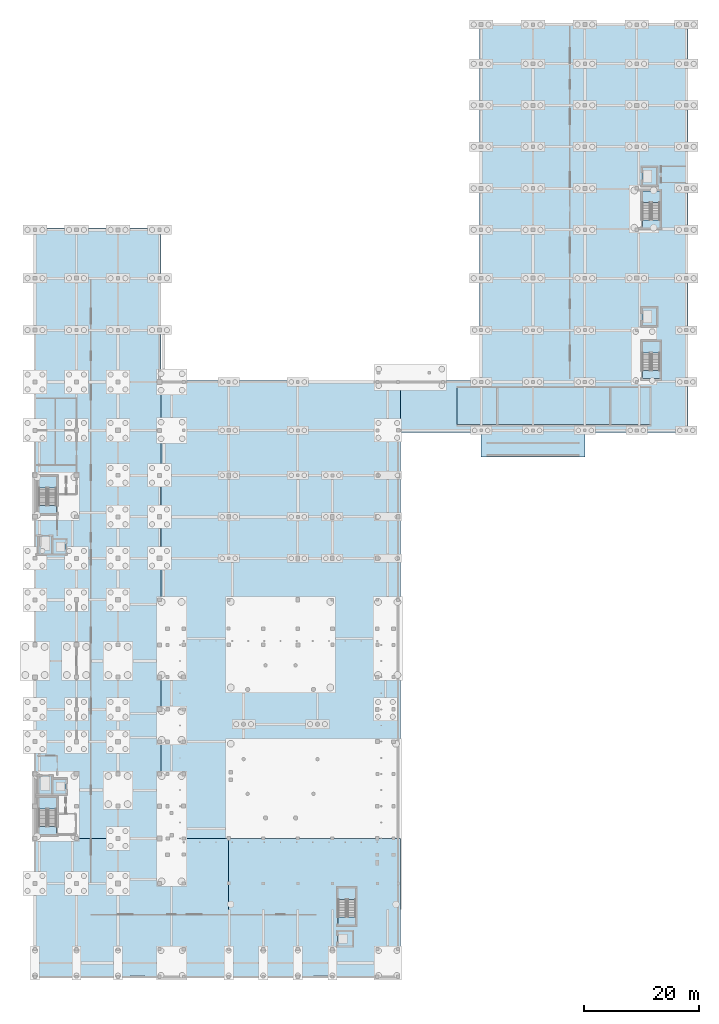
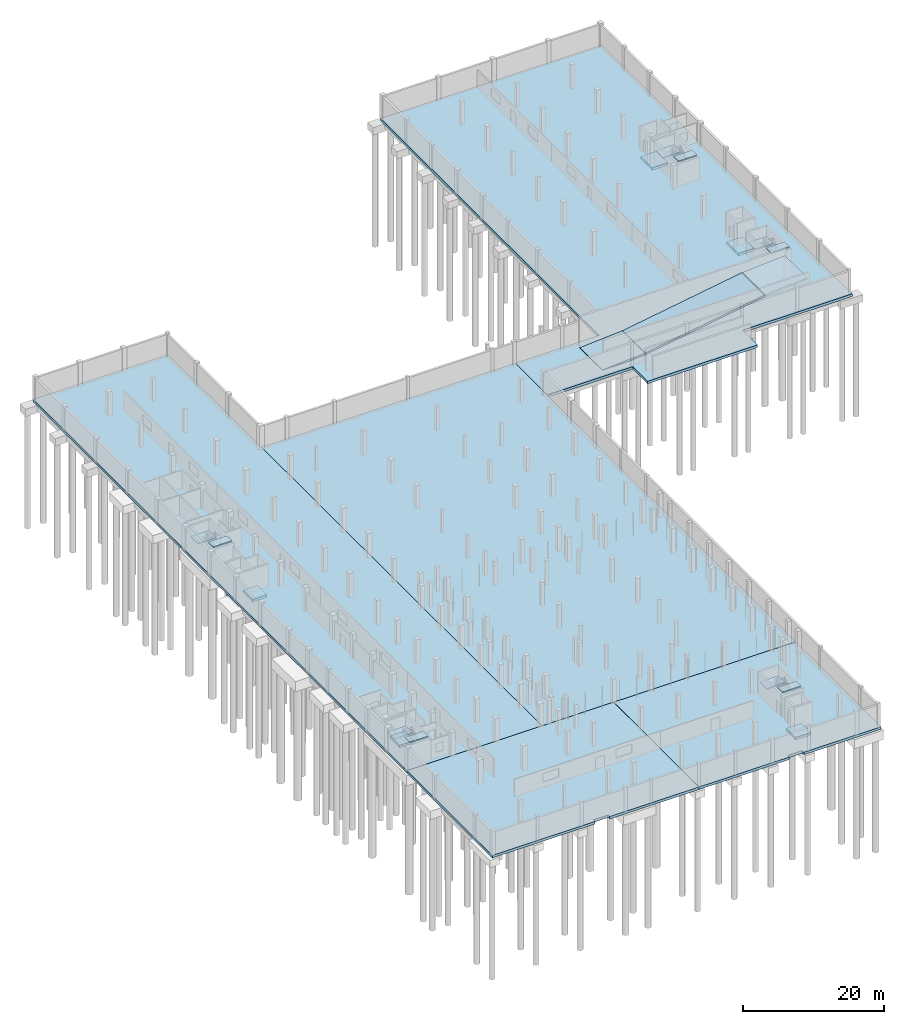
# One storey, part 22 of 34: 25 slabs, 5 elements without a shape of their own.
"""IFC4 building model written with IfcOpenShell, lengths in metres."""

import ifcopenshell
import ifcopenshell.guid

model = None  # the IFC model being written
_history = None  # IfcOwnerHistory: only IFC2X3 demands one
_inside = {}  # id of a spatial element -> (the spatial element, [elements in it])
_under = {}  # id of a project, library or spatial element -> (it, [spatial elements below it])
_declared = {}  # id of a project -> (the project, [libraries it declares])
_typed = {}  # id of a type object -> (the type object, [elements of that type])
_made_of = {}  # id of a material, layer set ... -> (it, [elements and type objects made of it])


def new_model(schema):
    """Start an empty IFC model of exactly this schema.

    Asked for "IFC4X3", IfcOpenShell would pick the latest addendum, in which some entities
    have other attributes; the version numbers below select the first issue.
    IFC2X3 requires an IfcOwnerHistory on every rooted entity: one is made here for all.
    """
    global model, _history
    if schema == "IFC4X3":
        model = ifcopenshell.file(schema_version=(4, 3, 0, 0))
    else:
        model = ifcopenshell.file(schema=schema)
    _inside.clear()
    _under.clear()
    _declared.clear()
    _typed.clear()
    _made_of.clear()
    _history = None
    if model.schema == "IFC2X3":
        org = make("IfcOrganization", Name="unknown")
        user = make(
            "IfcPersonAndOrganization",
            ThePerson=make("IfcPerson", FamilyName="unknown"),
            TheOrganization=org,
        )
        app = make(
            "IfcApplication",
            ApplicationDeveloper=org,
            Version="unknown",
            ApplicationFullName="unknown",
            ApplicationIdentifier="unknown",
        )
        _history = make(
            "IfcOwnerHistory",
            OwningUser=user,
            OwningApplication=app,
            ChangeAction="ADDED",
            CreationDate=0,
        )
    return model


def make(cls, **values):
    """One entity of the class cls with the attributes given. An attribute that is None is left unset."""
    return model.create_entity(
        cls, **{name: value for name, value in values.items() if value is not None}
    )


def rooted(cls, **values):
    """An entity with a GlobalId (a new one), such as an element, a storey or a relation."""
    return make(cls, GlobalId=ifcopenshell.guid.new(), OwnerHistory=_history, **values)


def si_unit(unit_type, name, prefix=None):
    """IfcSIUnit, for example si_unit("LENGTHUNIT", "METRE", prefix="MILLI")."""
    return make("IfcSIUnit", UnitType=unit_type, Prefix=prefix, Name=name)


def assignment(units):
    """IfcUnitAssignment: the units of a project."""
    return None if units is None else make("IfcUnitAssignment", Units=units)


def point(xyz):
    """IfcCartesianPoint."""
    return None if xyz is None else make("IfcCartesianPoint", Coordinates=xyz)


def direction(xyz):
    """IfcDirection."""
    return None if xyz is None else make("IfcDirection", DirectionRatios=xyz)


def frame(location, z_axis=None, x_axis=None):
    """IfcAxis2Placement3D, a coordinate frame: its origin and axes. An axis left out is left unset."""
    return make(
        "IfcAxis2Placement3D",
        Location=point(location),
        Axis=direction(z_axis),
        RefDirection=direction(x_axis),
    )


def origin():
    """The frame at (0, 0, 0) with its axes left unset."""
    return frame((0.0, 0.0, 0.0))


def place(relative_to, where):
    """IfcLocalPlacement: puts the frame where relative to a parent placement (None: the world)."""
    return make(
        "IfcLocalPlacement", PlacementRelTo=relative_to, RelativePlacement=where
    )


def context(
    kind, dimensions, precision=None, world=None, true_north=None, identifier=None
):
    """IfcGeometricRepresentationContext, for example the 3D "Model" context."""
    return make(
        "IfcGeometricRepresentationContext",
        ContextIdentifier=identifier,
        ContextType=kind,
        CoordinateSpaceDimension=dimensions,
        Precision=precision,
        WorldCoordinateSystem=world,
        TrueNorth=true_north,
    )


def subcontext(parent, identifier, kind, view, scale=None):
    """IfcGeometricRepresentationSubContext, for example "Body" below "Model"."""
    return make(
        "IfcGeometricRepresentationSubContext",
        ContextIdentifier=identifier,
        ContextType=kind,
        ParentContext=parent,
        TargetScale=scale,
        TargetView=view,
    )


def project(units=None, contexts=None):
    """IfcProject with its units and contexts."""
    return rooted(
        "IfcProject",
        Name="project",
        RepresentationContexts=contexts,
        UnitsInContext=assignment(units),
    )


def spatial(cls, under=None, at=None, **own):
    """A site, building, storey or space (cls), placed at a placement, below another one or the project."""
    s = rooted(cls, ObjectPlacement=at, **own)
    if under is not None:
        _under.setdefault(under.id(), (under, []))[1].append(s)
    return s


def polyline(points):
    """IfcPolyline through the points."""
    return make("IfcPolyline", Points=[point(p) for p in points])


def outline(outer, holes=None, kind="AREA"):
    """IfcArbitraryClosedProfileDef: a profile drawn as a closed curve; with holes, ...WithVoids."""
    if holes is None:
        return make("IfcArbitraryClosedProfileDef", ProfileType=kind, OuterCurve=outer)
    return make(
        "IfcArbitraryProfileDefWithVoids",
        ProfileType=kind,
        OuterCurve=outer,
        InnerCurves=holes,
    )


def extrude(swept, where, along, depth):
    """IfcExtrudedAreaSolid: the profile swept, set in the frame where, extruded along a direction by depth."""
    return make(
        "IfcExtrudedAreaSolid",
        SweptArea=swept,
        Position=where,
        ExtrudedDirection=direction(along),
        Depth=depth,
    )


def shape(context_of_items, identifier, shape_type, items):
    """IfcShapeRepresentation: the items that make up one representation, for example the "Body"."""
    return make(
        "IfcShapeRepresentation",
        ContextOfItems=context_of_items,
        RepresentationIdentifier=identifier,
        RepresentationType=shape_type,
        Items=items,
    )


def material(Name=None, Category=None):
    """IfcMaterial."""
    return make("IfcMaterial", Name=Name, Category=Category)


def layer(
    of_material, thickness, ventilated=None, Name=None, Category=None, Priority=None
):
    """IfcMaterialLayer: one layer of a wall or slab, of a material (None: an air gap)."""
    return make(
        "IfcMaterialLayer",
        Material=of_material,
        LayerThickness=thickness,
        IsVentilated=ventilated,
        Name=Name,
        Category=Category,
        Priority=Priority,
    )


def layer_set(layers, Name=None):
    """IfcMaterialLayerSet."""
    return make("IfcMaterialLayerSet", MaterialLayers=layers, LayerSetName=Name)


def made_of(thing, what):
    """Note that an element or type object is made of a material, layer set ...; save() writes the relation."""
    if what is not None:
        _made_of.setdefault(what.id(), (what, []))[1].append(thing)
    return thing


def type_object(cls, material=None, **own):
    """A type object (cls), such as IfcWallType, which elements share."""
    return made_of(rooted(cls, **own), material)


def element(
    cls,
    number,
    at=None,
    inside=None,
    cuts=None,
    type_object=None,
    material=None,
    context=None,
    identifier="Body",
    shape_type=None,
    held_by="IfcProductDefinitionShape",
    body=None,
    shapes=None,
    **own,
):
    """One element of the class cls, such as IfcWall. Its Tag is "e" and its number.

    at: its placement. inside: the storey or other place that contains it. cuts: it is an
    opening in that element (IfcRelVoidsElement). A single representation is given by context,
    identifier, shape_type and body (its items); several are given by shapes. held_by: the class
    of the entity that holds the representations. save() writes the other relations.
    """
    e = rooted(cls, Tag="e%d" % number, ObjectPlacement=at, **own)
    if body is not None:
        shapes = [shape(context, identifier, shape_type, body)]
    if shapes is not None:
        e.Representation = make(held_by, Representations=shapes)
    if inside is not None:
        _inside.setdefault(inside.id(), (inside, []))[1].append(e)
    if cuts is not None:
        rooted(
            "IfcRelVoidsElement", RelatingBuildingElement=cuts, RelatedOpeningElement=e
        )
    if type_object is not None:
        _typed.setdefault(type_object.id(), (type_object, []))[1].append(e)
    return made_of(e, material)


def aggregate(whole, parts):
    """IfcRelAggregates: a whole, such as a stair, and the parts it consists of."""
    return rooted("IfcRelAggregates", RelatingObject=whole, RelatedObjects=parts)


def save(model, path):
    """Write the relations noted so far, then the file.

    IfcRelAggregates (storeys below a building ...), IfcRelContainedInSpatialStructure (elements
    in a storey), IfcRelDefinesByType, IfcRelAssociatesMaterial and IfcRelDeclares: one each for
    every whole, place, type object, material and project.
    """
    for whole, parts in _under.values():
        aggregate(whole, parts)
    for where, things in _inside.values():
        rooted(
            "IfcRelContainedInSpatialStructure",
            RelatedElements=things,
            RelatingStructure=where,
        )
    for kind, things in _typed.values():
        rooted("IfcRelDefinesByType", RelatedObjects=things, RelatingType=kind)
    for what, things in _made_of.values():
        rooted("IfcRelAssociatesMaterial", RelatedObjects=things, RelatingMaterial=what)
    for by, libraries in _declared.values():
        rooted("IfcRelDeclares", RelatingContext=by, RelatedDefinitions=libraries)
    model.write(path)


model = new_model("IFC4")

# Units and contexts
model_context = context("Model", 3, precision=1e-05, world=origin(), true_north=direction((0.0, 1.0)))
body_context = subcontext(model_context, "Body", "Model", "MODEL_VIEW")
ifc_project = project(units=[si_unit("LENGTHUNIT", "METRE"), si_unit("AREAUNIT", "SQUARE_METRE"), si_unit("VOLUMEUNIT", "CUBIC_METRE"), si_unit("PLANEANGLEUNIT", "RADIAN"), si_unit("MASSUNIT", "GRAM", prefix="KILO")], contexts=[model_context])

# Site, building, storey
site_placement = place(None, origin())
site = spatial("IfcSite", under=ifc_project, at=site_placement, CompositionType="ELEMENT")
building_placement = place(site_placement, origin())
building = spatial("IfcBuilding", under=site, at=building_placement, Name="Vinh Khe Railworks Police Headquarters", CompositionType="ELEMENT")
storey_placement = place(building_placement, frame((0.0, 0.0, -4.199951171875)))
storey = spatial("IfcBuildingStorey", under=building, at=storey_placement, Name="B1", CompositionType="ELEMENT", Elevation=-4.199951171875)

# Slabs
ifc_material_1 = material(Name="Concrete C35/45 (B35)", Category="concrete")
ifc_layer_1 = layer(ifc_material_1, 0.449951171875)
ifc_layer_set_1 = layer_set([ifc_layer_1], Name="Concrete C35/45 (B35)")
slab_type_1 = type_object("IfcSlabType", Name="Base Raft Slab 450", PredefinedType="BASESLAB", material=ifc_layer_set_1)
slab_1_placement = place(storey_placement, frame((0.0, 0.0, -0.449951171875)))
element("IfcSlab", 1, at=slab_1_placement, inside=storey, type_object=slab_type_1, Name="B1-SW Base Slab (B1)", PredefinedType="BASESLAB", context=body_context, shape_type="SweptSolid", body=[
    extrude(outline(polyline([(0.39990234375, 1.0), (17.199951171875, 1.0), (17.199951171875, 1.449951171875), (19.60009765625, 1.449951171875), (19.60009765625, 1.0), (34.199951171875, 1.0), (34.199951171875, 25.199951171875), (0.39990234375, 25.199951171875), (0.39990234375, 1.0)])), origin(), (0.0, 0.0, 1.0), 0.449951171875),
])
slab_2_placement = place(storey_placement, frame((0.0, 0.0, -0.449951171875)))
element("IfcSlab", 2, at=slab_2_placement, inside=storey, type_object=slab_type_1, Name="B1-SE Base Slab (B1)", PredefinedType="BASESLAB", context=body_context, shape_type="SweptSolid", body=[
    extrude(outline(polyline([(34.2099609375, 1.0), (49.0048828125, 1.0), (49.0048828125, 1.449951171875), (51.405029296875, 1.449951171875), (51.405029296875, 1.0), (64.0, 1.0), (64.0, 25.199951171875), (34.2099609375, 25.199951171875), (34.2099609375, 1.0)])), origin(), (0.0, 0.0, 1.0), 0.449951171875),
])
slab_3_placement = place(storey_placement, frame((0.0, 0.0, -0.449951171875)))
element("IfcSlab", 3, at=slab_3_placement, inside=storey, type_object=slab_type_1, Name="B1-W Base Slab (B1)", PredefinedType="BASESLAB", context=body_context, shape_type="SweptSolid", body=[
    extrude(outline(polyline([(0.39990234375, 25.199951171875), (22.5, 25.199951171875), (22.5, 131.10009765625), (0.39990234375, 131.10009765625), (0.39990234375, 25.199951171875)])), origin(), (0.0, 0.0, 1.0), 0.449951171875),
])
slab_4_placement = place(storey_placement, frame((0.0, 0.0, -0.449951171875)))
element("IfcSlab", 4, at=slab_4_placement, inside=storey, type_object=slab_type_1, Name="B1-C Base Slab (B1)", PredefinedType="BASESLAB", context=body_context, shape_type="SweptSolid", body=[
    extrude(outline(polyline([(22.5, 25.199951171875), (64.0, 25.199951171875), (64.0, 104.699951171875), (22.5, 104.699951171875), (22.5, 25.199951171875)])), origin(), (0.0, 0.0, 1.0), 0.449951171875),
])
slab_5_placement = place(storey_placement, frame((0.0, 0.0, -0.449951171875)))
element("IfcSlab", 5, at=slab_5_placement, inside=storey, type_object=slab_type_1, Name="B1-E Base Slab (B1)", PredefinedType="BASESLAB", context=body_context, shape_type="SweptSolid", body=[
    extrude(outline(polyline([(64.0, 95.60009765625), (78.0, 95.60009765625), (78.0, 91.39990234375), (96.0, 91.39990234375), (96.0, 95.60009765625), (113.89990234375, 95.60009765625), (113.89990234375, 166.60009765625), (77.699951171875, 166.60009765625), (77.699951171875, 104.699951171875), (64.0, 104.699951171875), (64.0, 95.60009765625)]), holes=[polyline([(73.800048828125, 97.010009765625), (78.10009765625, 97.010009765625), (78.10009765625, 103.389892578125), (73.800048828125, 103.389892578125), (73.800048828125, 97.010009765625)])]), origin(), (0.0, 0.0, 1.0), 0.449951171875),
])

# Stair, slabs
ifc_material_2 = material(Name="Precast concrete C40/50 (B40)", Category="concrete")
stair_type = type_object("IfcStairType", Name="ST-CORE-DOGLEG", PredefinedType="HALF_TURN_STAIR", material=ifc_material_2)
stair_1_placement = place(storey_placement, origin())
stair_1 = element("IfcStair", 6, at=stair_1_placement, inside=storey, type_object=stair_type, Name="B1 Escape Stair ST-01", PredefinedType="HALF_TURN_STAIR")
ifc_layer_2 = layer(ifc_material_1, 0.199951171875)
ifc_layer_set_2 = layer_set([ifc_layer_2], Name="Concrete C35/45 (B35)")
slab_type_2 = type_object("IfcSlabType", Name="SLB-LAND-200", PredefinedType="LANDING", material=ifc_layer_set_2)
slab_6_placement = place(storey_placement, frame((0.0, 0.0, 1.89990234375)))
slab_6 = element("IfcSlab", 7, at=slab_6_placement, type_object=slab_type_2, Name="ST-01 landing 1", PredefinedType="LANDING", context=body_context, shape_type="SweptSolid", body=[
    extrude(outline(polyline([(4.300048828125, 30.330078125), (4.300048828125, 32.300048828125), (1.300048828125, 32.300048828125), (1.300048828125, 30.330078125), (4.300048828125, 30.330078125)])), origin(), (0.0, 0.0, 1.0), 0.199951171875),
])
slab_7_placement = place(storey_placement, frame((0.0, 0.0, 4.0)))
slab_7 = element("IfcSlab", 8, at=slab_7_placement, type_object=slab_type_2, Name="ST-01 landing 2", PredefinedType="LANDING", context=body_context, shape_type="SweptSolid", body=[
    extrude(outline(polyline([(1.280029296875, 25.8798828125), (4.320068359375, 25.8798828125), (4.320068359375, 27.260009765625), (1.280029296875, 27.260009765625), (1.280029296875, 25.8798828125)])), origin(), (0.0, 0.0, 1.0), 0.199951171875),
])
aggregate(stair_1, [slab_6, slab_7])

stair_2_placement = place(storey_placement, origin())
stair_2 = element("IfcStair", 9, at=stair_2_placement, inside=storey, type_object=stair_type, Name="B1 Escape Stair ST-02", PredefinedType="HALF_TURN_STAIR")
slab_8_placement = place(storey_placement, frame((0.0, 0.0, 1.89990234375)))
slab_8 = element("IfcSlab", 10, at=slab_8_placement, type_object=slab_type_2, Name="ST-02 landing 1", PredefinedType="LANDING", context=body_context, shape_type="SweptSolid", body=[
    extrude(outline(polyline([(4.300048828125, 86.030029296875), (4.300048828125, 88.0), (1.300048828125, 88.0), (1.300048828125, 86.030029296875), (4.300048828125, 86.030029296875)])), origin(), (0.0, 0.0, 1.0), 0.199951171875),
])
slab_9_placement = place(storey_placement, frame((0.0, 0.0, 4.0)))
slab_9 = element("IfcSlab", 11, at=slab_9_placement, type_object=slab_type_2, Name="ST-02 landing 2", PredefinedType="LANDING", context=body_context, shape_type="SweptSolid", body=[
    extrude(outline(polyline([(1.280029296875, 81.580078125), (4.320068359375, 81.580078125), (4.320068359375, 82.9599609375), (1.280029296875, 82.9599609375), (1.280029296875, 81.580078125)])), origin(), (0.0, 0.0, 1.0), 0.199951171875),
])
aggregate(stair_2, [slab_8, slab_9])

stair_3_placement = place(storey_placement, origin())
stair_3 = element("IfcStair", 12, at=stair_3_placement, inside=storey, type_object=stair_type, Name="B1 Escape Stair ST-03", PredefinedType="HALF_TURN_STAIR")
slab_10_placement = place(storey_placement, frame((0.0, 0.0, 1.89990234375)))
slab_10 = element("IfcSlab", 13, at=slab_10_placement, type_object=slab_type_2, Name="ST-03 landing 1", PredefinedType="LANDING", context=body_context, shape_type="SweptSolid", body=[
    extrude(outline(polyline([(109.0, 135.580078125), (109.0, 137.550048828125), (106.0, 137.550048828125), (106.0, 135.580078125), (109.0, 135.580078125)])), origin(), (0.0, 0.0, 1.0), 0.199951171875),
])
slab_11_placement = place(storey_placement, frame((0.0, 0.0, 4.0)))
slab_11 = element("IfcSlab", 14, at=slab_11_placement, type_object=slab_type_2, Name="ST-03 landing 2", PredefinedType="LANDING", context=body_context, shape_type="SweptSolid", body=[
    extrude(outline(polyline([(105.97998046875, 131.1298828125), (109.02001953125, 131.1298828125), (109.02001953125, 132.510009765625), (105.97998046875, 132.510009765625), (105.97998046875, 131.1298828125)])), origin(), (0.0, 0.0, 1.0), 0.199951171875),
])
aggregate(stair_3, [slab_10, slab_11])

stair_4_placement = place(storey_placement, origin())
stair_4 = element("IfcStair", 15, at=stair_4_placement, inside=storey, type_object=stair_type, Name="B1 Escape Stair ST-04", PredefinedType="HALF_TURN_STAIR")
slab_12_placement = place(storey_placement, frame((0.0, 0.0, 1.89990234375)))
slab_12 = element("IfcSlab", 16, at=slab_12_placement, type_object=slab_type_2, Name="ST-04 landing 1", PredefinedType="LANDING", context=body_context, shape_type="SweptSolid", body=[
    extrude(outline(polyline([(109.0, 109.429931640625), (109.0, 111.39990234375), (106.0, 111.39990234375), (106.0, 109.429931640625), (109.0, 109.429931640625)])), origin(), (0.0, 0.0, 1.0), 0.199951171875),
])
slab_13_placement = place(storey_placement, frame((0.0, 0.0, 4.0)))
slab_13 = element("IfcSlab", 17, at=slab_13_placement, type_object=slab_type_2, Name="ST-04 landing 2", PredefinedType="LANDING", context=body_context, shape_type="SweptSolid", body=[
    extrude(outline(polyline([(105.97998046875, 104.97998046875), (109.02001953125, 104.97998046875), (109.02001953125, 106.360107421875), (105.97998046875, 106.360107421875), (105.97998046875, 104.97998046875)])), origin(), (0.0, 0.0, 1.0), 0.199951171875),
])
aggregate(stair_4, [slab_12, slab_13])

stair_5_placement = place(storey_placement, origin())
stair_5 = element("IfcStair", 18, at=stair_5_placement, inside=storey, type_object=stair_type, Name="B1 Escape Stair ST-05", PredefinedType="HALF_TURN_STAIR")
slab_14_placement = place(storey_placement, frame((0.0, 0.0, 1.89990234375)))
slab_14 = element("IfcSlab", 19, at=slab_14_placement, type_object=slab_type_2, Name="ST-05 landing 1", PredefinedType="LANDING", context=body_context, shape_type="SweptSolid", body=[
    extrude(outline(polyline([(56.199951171875, 14.6298828125), (56.199951171875, 16.60009765625), (53.199951171875, 16.60009765625), (53.199951171875, 14.6298828125), (56.199951171875, 14.6298828125)])), origin(), (0.0, 0.0, 1.0), 0.199951171875),
])
slab_15_placement = place(storey_placement, frame((0.0, 0.0, 4.0)))
slab_15 = element("IfcSlab", 20, at=slab_15_placement, type_object=slab_type_2, Name="ST-05 landing 2", PredefinedType="LANDING", context=body_context, shape_type="SweptSolid", body=[
    extrude(outline(polyline([(53.179931640625, 10.179931640625), (56.219970703125, 10.179931640625), (56.219970703125, 11.56005859375), (53.179931640625, 11.56005859375), (53.179931640625, 10.179931640625)])), origin(), (0.0, 0.0, 1.0), 0.199951171875),
])
aggregate(stair_5, [slab_14, slab_15])

# Slabs
ifc_layer_3 = layer(ifc_material_1, 0.449951171875)
ifc_layer_set_3 = layer_set([ifc_layer_3], Name="Concrete C35/45 (B35)")
slab_type_3 = type_object("IfcSlabType", Name="SLB-PIT-300", PredefinedType="BASESLAB", material=ifc_layer_set_3)
slab_16_placement = place(storey_placement, frame((0.0, 0.0, -1.85009765625)))
element("IfcSlab", 21, at=slab_16_placement, inside=storey, type_object=slab_type_3, Name="Lift Pit Base FL-01", PredefinedType="BASESLAB", context=body_context, shape_type="SweptSolid", body=[
    extrude(outline(polyline([(1.219970703125, 32.85009765625), (3.580078125, 32.85009765625), (3.580078125, 36.14990234375), (1.219970703125, 36.14990234375), (1.219970703125, 32.85009765625)])), origin(), (0.0, 0.0, 1.0), 0.449951171875),
])
slab_17_placement = place(storey_placement, frame((0.0, 0.0, -1.85009765625)))
element("IfcSlab", 22, at=slab_17_placement, inside=storey, type_object=slab_type_3, Name="Lift Pit Base PL-01", PredefinedType="BASESLAB", context=body_context, shape_type="SweptSolid", body=[
    extrude(outline(polyline([(3.6201171875, 32.85009765625), (5.97998046875, 32.85009765625), (5.97998046875, 35.550048828125), (3.6201171875, 35.550048828125), (3.6201171875, 32.85009765625)])), origin(), (0.0, 0.0, 1.0), 0.449951171875),
])
slab_18_placement = place(storey_placement, frame((0.0, 0.0, -1.85009765625)))
element("IfcSlab", 23, at=slab_18_placement, inside=storey, type_object=slab_type_3, Name="Lift Pit Base FL-02", PredefinedType="BASESLAB", context=body_context, shape_type="SweptSolid", body=[
    extrude(outline(polyline([(1.219970703125, 74.449951171875), (3.580078125, 74.449951171875), (3.580078125, 77.75), (1.219970703125, 77.75), (1.219970703125, 74.449951171875)])), origin(), (0.0, 0.0, 1.0), 0.449951171875),
])
slab_19_placement = place(storey_placement, frame((0.0, 0.0, -1.85009765625)))
element("IfcSlab", 24, at=slab_19_placement, inside=storey, type_object=slab_type_3, Name="Lift Pit Base PL-02", PredefinedType="BASESLAB", context=body_context, shape_type="SweptSolid", body=[
    extrude(outline(polyline([(3.6201171875, 74.449951171875), (5.97998046875, 74.449951171875), (5.97998046875, 77.14990234375), (3.6201171875, 77.14990234375), (3.6201171875, 74.449951171875)])), origin(), (0.0, 0.0, 1.0), 0.449951171875),
])
slab_20_placement = place(storey_placement, frame((0.0, 0.0, -1.85009765625)))
element("IfcSlab", 25, at=slab_20_placement, inside=storey, type_object=slab_type_3, Name="Lift Pit Base PL-03", PredefinedType="BASESLAB", context=body_context, shape_type="SweptSolid", body=[
    extrude(outline(polyline([(105.919921875, 138.449951171875), (108.47998046875, 138.449951171875), (108.47998046875, 141.75), (105.919921875, 141.75), (105.919921875, 138.449951171875)])), origin(), (0.0, 0.0, 1.0), 0.449951171875),
])
slab_21_placement = place(storey_placement, frame((0.0, 0.0, -1.85009765625)))
element("IfcSlab", 26, at=slab_21_placement, inside=storey, type_object=slab_type_3, Name="Lift Pit Base CL-01", PredefinedType="BASESLAB", context=body_context, shape_type="SweptSolid", body=[
    extrude(outline(polyline([(105.919921875, 114.050048828125), (108.47998046875, 114.050048828125), (108.47998046875, 117.35009765625), (105.919921875, 117.35009765625), (105.919921875, 114.050048828125)])), origin(), (0.0, 0.0, 1.0), 0.449951171875),
])
slab_22_placement = place(storey_placement, frame((0.0, 0.0, -1.85009765625)))
element("IfcSlab", 27, at=slab_22_placement, inside=storey, type_object=slab_type_3, Name="Lift Pit Base PL-04", PredefinedType="BASESLAB", context=body_context, shape_type="SweptSolid", body=[
    extrude(outline(polyline([(53.1201171875, 6.449951171875), (55.679931640625, 6.449951171875), (55.679931640625, 9.14990234375), (53.1201171875, 9.14990234375), (53.1201171875, 6.449951171875)])), origin(), (0.0, 0.0, 1.0), 0.449951171875),
])
ifc_layer_4 = layer(ifc_material_1, 0.300048828125)
ifc_layer_set_4 = layer_set([ifc_layer_4], Name="Concrete C35/45 (B35)")
slab_type_4 = type_object("IfcSlabType", Name="Vehicle Ramp Structural Slab 300", PredefinedType="FLOOR", material=ifc_layer_set_4)
slab_23_placement = place(storey_placement, frame((73.820068359375, 97.0, 0.0), z_axis=(-0.071654819518, 0.0, 0.997429489658), x_axis=(0.997429489658, 0.0, 0.071654819518)))
element("IfcSlab", 28, at=slab_23_placement, inside=storey, type_object=slab_type_4, Name="Vehicle Car Park Ramp Structural Slab RP-01 F1", PredefinedType="FLOOR", context=body_context, shape_type="SweptSolid", body=[
    extrude(outline(polyline([(0.0, 0.0), (6.9778976956907215, 0.0), (6.9778976956907215, 6.399902343750002), (0.0, 6.399902343750002), (0.0, 0.0)])), origin(), (0.0, 0.0, -1.0), 0.300048828125),
])
slab_24_placement = place(storey_placement, frame((80.820068359375, 97.0, 0.5), z_axis=(-0.161451923361, 0.0, 0.986880578613), x_axis=(0.986880578613, 0.0, 0.161451923361)))
element("IfcSlab", 29, at=slab_24_placement, inside=storey, type_object=slab_type_4, Name="Vehicle Car Park Ramp Structural Slab RP-01 F2", PredefinedType="FLOOR", context=body_context, shape_type="SweptSolid", body=[
    extrude(outline(polyline([(0.0, 0.0), (19.819839276418513, 0.0), (19.819839276418513, 6.39990234375), (0.0, 6.39990234375), (0.0, 0.0)])), origin(), (0.0, 0.0, -1.0), 0.300048828125),
])
slab_25_placement = place(storey_placement, frame((100.419921875, 97.0, 3.699951171875), z_axis=(-0.071654819518, 0.0, 0.997429489658), x_axis=(0.997429489658, 0.0, 0.071654819518)))
element("IfcSlab", 30, at=slab_25_placement, inside=storey, type_object=slab_type_4, Name="Vehicle Car Park Ramp Structural Slab RP-01 F3", PredefinedType="FLOOR", context=body_context, shape_type="SweptSolid", body=[
    extrude(outline(polyline([(0.0, 0.0), (6.9778976956907215, 0.0), (6.9778976956907215, 6.399902343750002), (0.0, 6.399902343750002), (0.0, 0.0)])), origin(), (0.0, 0.0, -1.0), 0.300048828125),
])

save(model, "model.ifc")
